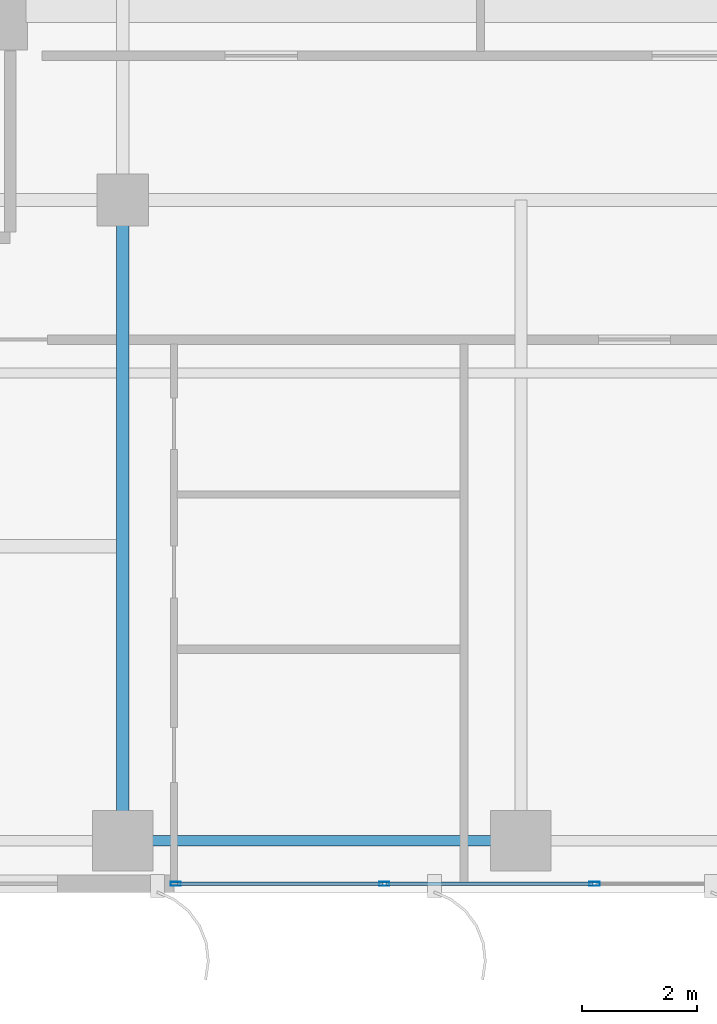
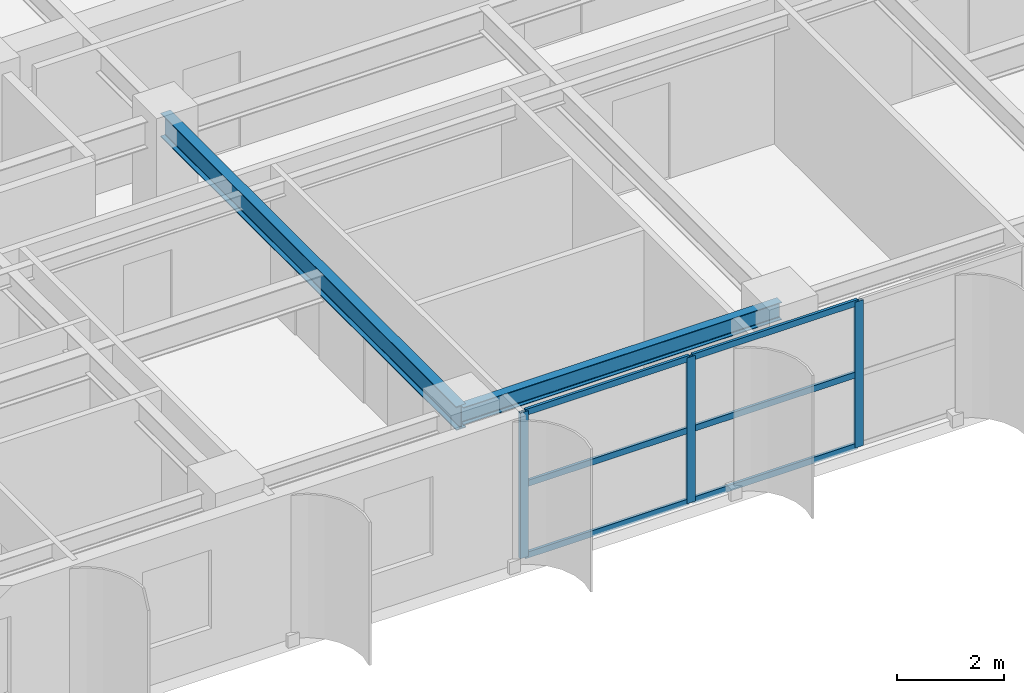
# One storey, part 2 of 21: 9 members, 2 beams, 1 element without a shape of its own.
"""IFC4 building model written with IfcOpenShell, lengths in metres."""

from ifc_helpers import new_model, si_unit, direction, frame, origin, origin_2d, place, context, subcontext, project, spatial, hollow_rectangle, i_section, extrude, source, transform, mapped, material, layer, layer_set, material_profile, profile_set, type_object, element, aggregate, save


model = new_model("IFC4")

# Units and contexts
model_context = context("Model", 3, precision=1e-05, world=origin(), true_north=direction((0.0, 1.0)))
body_context = subcontext(model_context, "Body", "Model", "MODEL_VIEW")
ifc_project = project(units=[si_unit("LENGTHUNIT", "METRE"), si_unit("AREAUNIT", "SQUARE_METRE"), si_unit("VOLUMEUNIT", "CUBIC_METRE"), si_unit("PLANEANGLEUNIT", "RADIAN"), si_unit("MASSUNIT", "GRAM", prefix="KILO")], contexts=[model_context])

# Site, building, storey
site_placement = place(None, origin())
site = spatial("IfcSite", under=ifc_project, at=site_placement, CompositionType="ELEMENT")
building_placement = place(site_placement, origin())
building = spatial("IfcBuilding", under=site, at=building_placement, Name="Khoralis Quay Care Tower", CompositionType="ELEMENT")
storey_placement = place(building_placement, frame((0.0, 0.0, 112.5)))
storey = spatial("IfcBuildingStorey", under=building, at=storey_placement, Name="L29", CompositionType="ELEMENT", Elevation=112.5)

# Beams
ifc_material_1 = material(Name="Steel S355", Category="steel")
ifc_material_profile_1 = material_profile(ifc_material_1, i_section(OverallWidth=0.179931640625, OverallDepth=0.39990234375, WebThickness=0.008544921875, FlangeThickness=0.013427734375, FilletRadius=0.02099609375, at=origin_2d()), Name="Steel S355")
ifc_profile_set_1 = profile_set([ifc_material_profile_1], Name="Steel S355")
beam_type_1 = type_object("IfcBeamType", Name="BM-IPE400", PredefinedType="SPANDREL", material=ifc_profile_set_1)
shared_shape_1 = source(origin(), body_context, "Body", "SweptSolid", [
    extrude(i_section(OverallWidth=0.179931640625, OverallDepth=0.39990234375, WebThickness=0.008544921875, FlangeThickness=0.013427734375, FilletRadius=0.02099609375, at=origin_2d()), origin(), (0.0, 0.0, 1.0), 6.89990234375),
])
beam_1_placement = place(storey_placement, frame((17.10009765625, 0.89990234375, 3.139892578125), z_axis=(1.0, 0.0, 0.0), x_axis=(0.0, 1.0, 0.0)))
element("IfcBeam", 1, at=beam_1_placement, inside=storey, type_object=beam_type_1, Name="BM-TSP-L29-03", PredefinedType="SPANDREL", context=body_context, shape_type="MappedRepresentation", body=[
    mapped(shared_shape_1, transform((0.0, 0.0, 0.0), scale=1.0)),
])
ifc_material_profile_2 = material_profile(ifc_material_1, i_section(OverallWidth=0.2119140625, OverallDepth=0.5439453125, WebThickness=0.01318359375, FlangeThickness=0.021240234375, FilletRadius=0.01611328125, at=origin_2d()), Name="Steel S355")
ifc_profile_set_2 = profile_set([ifc_material_profile_2], Name="Steel S355")
beam_type_2 = type_object("IfcBeamType", Name="BM-W530X123", PredefinedType="BEAM", material=ifc_profile_set_2)
shared_shape_2 = source(origin(), body_context, "Body", "SweptSolid", [
    extrude(i_section(OverallWidth=0.2119140625, OverallDepth=0.5439453125, WebThickness=0.01318359375, FlangeThickness=0.021240234375, FilletRadius=0.01611328125, at=origin_2d()), origin(), (0.0, 0.0, 1.0), 11.10009765625),
])
beam_2_placement = place(storey_placement, frame((17.10009765625, 0.89990234375, 3.068115234375), z_axis=(0.0, 1.0, 0.0), x_axis=(-1.0, 0.0, 0.0)))
element("IfcBeam", 2, at=beam_2_placement, inside=storey, type_object=beam_type_2, Name="BM-TGYS-L29-171", PredefinedType="BEAM", context=body_context, shape_type="MappedRepresentation", body=[
    mapped(shared_shape_2, transform((0.0, 0.0, 0.0), scale=1.0)),
])

# Curtain wall, members
ifc_material_2 = material(Name="Pale anodised aluminium", Category="aluminium")
ifc_layer = layer(ifc_material_2, 0.169921875)
ifc_layer_set = layer_set([ifc_layer], Name="Pale anodised aluminium")
curtain_wall_type = type_object("IfcCurtainWallType", Name="CW-SYS-Z2", PredefinedType="NOTDEFINED", material=ifc_layer_set)
curtain_wall_placement = place(storey_placement, origin())
curtain_wall = element("IfcCurtainWall", 3, at=curtain_wall_placement, inside=storey, type_object=curtain_wall_type, Name="L29 Unitised Curtain Wall CW-L29-P1-E0", PredefinedType="NOTDEFINED")
ifc_material_profile_3 = material_profile(ifc_material_2, hollow_rectangle(XDim=0.06494140625, YDim=0.179931640625, WallThickness=0.00390625, at=origin_2d()), Name="Pale anodised aluminium")
ifc_profile_set_3 = profile_set([ifc_material_profile_3], Name="Pale anodised aluminium")
member_type_1 = type_object("IfcMemberType", Name="CW-MUL-180", PredefinedType="MULLION", material=ifc_profile_set_3)
shared_shape_3 = source(origin(), body_context, "Body", "SweptSolid", [
    extrude(hollow_rectangle(XDim=0.06494140625, YDim=0.179931640625, WallThickness=0.00390625, at=origin_2d()), origin(), (0.0, 0.0, 1.0), 3.340087890625),
])
member_1_placement = place(storey_placement, frame((18.01904296875, 0.14990234375, 0.0), z_axis=(0.0, 0.0, 1.0), x_axis=(0.0, 1.0, 0.0)))
member_1 = element("IfcMember", 4, at=member_1_placement, type_object=member_type_1, Name="CW2 mullion 1", PredefinedType="MULLION", context=body_context, shape_type="MappedRepresentation", body=[
    mapped(shared_shape_3, transform((0.0, 0.0, 0.0), scale=1.0)),
])
member_2_placement = place(storey_placement, frame((21.632568359375, 0.14990234375, 0.0), z_axis=(0.0, 0.0, 1.0), x_axis=(0.0, 1.0, 0.0)))
member_2 = element("IfcMember", 5, at=member_2_placement, type_object=member_type_1, Name="CW2 mullion 2", PredefinedType="MULLION", context=body_context, shape_type="MappedRepresentation", body=[
    mapped(shared_shape_3, transform((0.0, 0.0, 0.0), scale=1.0)),
])
member_3_placement = place(storey_placement, frame((25.2763671875, 0.14990234375, 0.0), z_axis=(0.0, 0.0, 1.0), x_axis=(0.0, 1.0, 0.0)))
member_3 = element("IfcMember", 6, at=member_3_placement, type_object=member_type_1, Name="CW2 mullion 3", PredefinedType="MULLION", context=body_context, shape_type="MappedRepresentation", body=[
    mapped(shared_shape_3, transform((0.0, 0.0, 0.0), scale=1.0)),
])
ifc_material_profile_4 = material_profile(ifc_material_2, hollow_rectangle(XDim=0.06005859375, YDim=0.139892578125, WallThickness=0.00390625, at=origin_2d()), Name="Pale anodised aluminium")
ifc_profile_set_4 = profile_set([ifc_material_profile_4], Name="Pale anodised aluminium")
member_type_2 = type_object("IfcMemberType", Name="CW-TRN-140", PredefinedType="USERDEFINED", material=ifc_profile_set_4)
shared_shape_4 = source(origin(), body_context, "Body", "SweptSolid", [
    extrude(hollow_rectangle(XDim=0.06005859375, YDim=0.139892578125, WallThickness=0.00390625, at=origin_2d()), origin(), (0.0, 0.0, 1.0), 3.5537109375),
])
member_4_placement = place(storey_placement, frame((18.049072265625, 0.14990234375, 0.030029296875), z_axis=(1.0, 0.0, 0.0), x_axis=(0.0, 1.0, 0.0)))
member_4 = element("IfcMember", 7, at=member_4_placement, type_object=member_type_2, Name="CW2 transom 1.1", ObjectType="TRANSOM", PredefinedType="USERDEFINED", context=body_context, shape_type="MappedRepresentation", body=[
    mapped(shared_shape_4, transform((0.0, 0.0, 0.0), scale=1.0)),
])
member_5_placement = place(storey_placement, frame((18.049072265625, 0.14990234375, 1.669921875), z_axis=(1.0, 0.0, 0.0), x_axis=(0.0, 1.0, 0.0)))
member_5 = element("IfcMember", 8, at=member_5_placement, type_object=member_type_2, Name="CW2 transom 1.2", ObjectType="TRANSOM", PredefinedType="USERDEFINED", context=body_context, shape_type="MappedRepresentation", body=[
    mapped(shared_shape_4, transform((0.0, 0.0, 0.0), scale=1.0)),
])
member_6_placement = place(storey_placement, frame((18.049072265625, 0.14990234375, 3.31005859375), z_axis=(1.0, 0.0, 0.0), x_axis=(0.0, 1.0, 0.0)))
member_6 = element("IfcMember", 9, at=member_6_placement, type_object=member_type_2, Name="CW2 transom 1.3", ObjectType="TRANSOM", PredefinedType="USERDEFINED", context=body_context, shape_type="MappedRepresentation", body=[
    mapped(shared_shape_4, transform((0.0, 0.0, 0.0), scale=1.0)),
])
shared_shape_5 = source(origin(), body_context, "Body", "SweptSolid", [
    extrude(hollow_rectangle(XDim=0.06005859375, YDim=0.139892578125, WallThickness=0.00390625, at=origin_2d()), origin(), (0.0, 0.0, 1.0), 3.583740234375),
])
member_7_placement = place(storey_placement, frame((21.66259765625, 0.14990234375, 0.030029296875), z_axis=(1.0, 0.0, 0.0), x_axis=(0.0, 1.0, 0.0)))
member_7 = element("IfcMember", 10, at=member_7_placement, type_object=member_type_2, Name="CW2 transom 2.1", ObjectType="TRANSOM", PredefinedType="USERDEFINED", context=body_context, shape_type="MappedRepresentation", body=[
    mapped(shared_shape_5, transform((0.0, 0.0, 0.0), scale=1.0)),
])
member_8_placement = place(storey_placement, frame((21.66259765625, 0.14990234375, 1.669921875), z_axis=(1.0, 0.0, 0.0), x_axis=(0.0, 1.0, 0.0)))
member_8 = element("IfcMember", 11, at=member_8_placement, type_object=member_type_2, Name="CW2 transom 2.2", ObjectType="TRANSOM", PredefinedType="USERDEFINED", context=body_context, shape_type="MappedRepresentation", body=[
    mapped(shared_shape_5, transform((0.0, 0.0, 0.0), scale=1.0)),
])
member_9_placement = place(storey_placement, frame((21.66259765625, 0.14990234375, 3.31005859375), z_axis=(1.0, 0.0, 0.0), x_axis=(0.0, 1.0, 0.0)))
member_9 = element("IfcMember", 12, at=member_9_placement, type_object=member_type_2, Name="CW2 transom 2.3", ObjectType="TRANSOM", PredefinedType="USERDEFINED", context=body_context, shape_type="MappedRepresentation", body=[
    mapped(shared_shape_5, transform((0.0, 0.0, 0.0), scale=1.0)),
])
aggregate(curtain_wall, [member_1, member_2, member_3, member_4, member_5, member_6, member_7, member_8, member_9])

save(model, "model.ifc")
